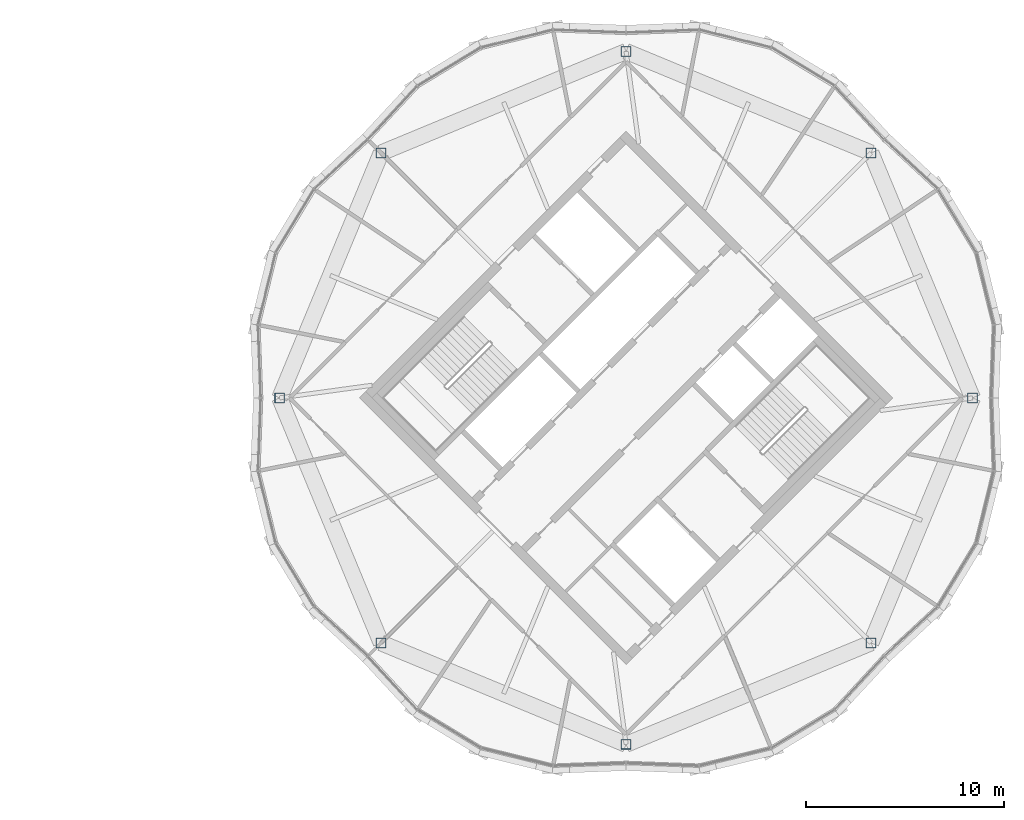
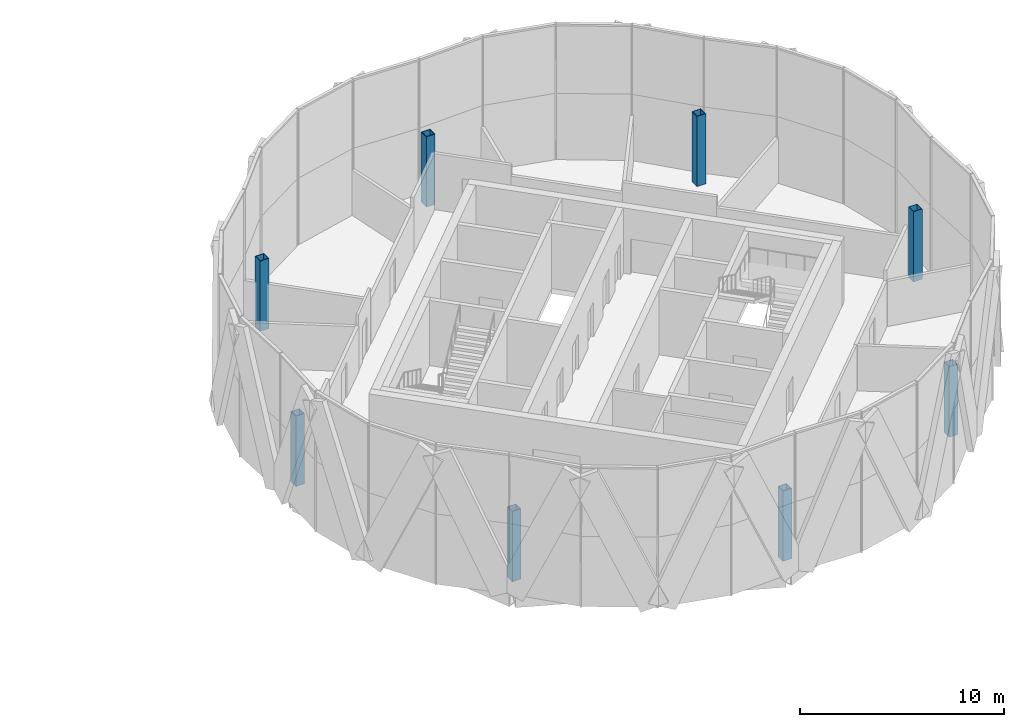
# One storey, part 2 of 22: 8 columns.
"""IFC4 building model written with IfcOpenShell, lengths in metres."""

from ifc_helpers import new_model, si_unit, direction, frame, origin, origin_2d, place, context, subcontext, project, spatial, hollow_rectangle, extrude, material, material_profile, profile_set, type_object, element, save


model = new_model("IFC4")

# Units and contexts
model_context = context("Model", 3, precision=1e-05, world=origin(), true_north=direction((0.0, 1.0)))
body_context = subcontext(model_context, "Body", "Model", "MODEL_VIEW")
ifc_project = project(units=[si_unit("LENGTHUNIT", "METRE"), si_unit("AREAUNIT", "SQUARE_METRE"), si_unit("VOLUMEUNIT", "CUBIC_METRE"), si_unit("PLANEANGLEUNIT", "RADIAN"), si_unit("MASSUNIT", "GRAM", prefix="KILO")], contexts=[model_context])

# Site, building, storey
site_placement = place(None, origin())
site = spatial("IfcSite", under=ifc_project, at=site_placement, CompositionType="ELEMENT")
building_placement = place(site_placement, origin())
building = spatial("IfcBuilding", under=site, at=building_placement, Name="Ogive Gate Towers", CompositionType="ELEMENT")
storey_placement = place(building_placement, frame((0.0, 0.0, 285.60009765625)))
storey = spatial("IfcBuildingStorey", under=building, at=storey_placement, Name="L67", CompositionType="ELEMENT", Elevation=285.60009765625)

# Columns
ifc_material = material(Name="Steel SM460", Category="steel")
ifc_material_profile = material_profile(ifc_material, hollow_rectangle(XDim=0.5, YDim=0.5, WallThickness=0.030029296875, at=origin_2d()), Name="BX 500x500x30")
ifc_profile_set = profile_set([ifc_material_profile], Name="Steel SM460")
column_type = type_object("IfcColumnType", Name="Perimeter post BX 500x500x30", PredefinedType="COLUMN", material=ifc_profile_set)
for number, where, z_axis, x_axis, name in (
    (1, (53.455078125, 0.0, 0.0), (0.0, 0.0, 1.0), (1.0, 0.0, 0.0), "T2/L67/SCL001"),
    (2, (48.342529296875, 12.342529296875, 0.0), (0.0, 0.0, 1.0), (1.0, 0.0, 0.0), "T2/L67/SCL002"),
    (3, (36.0, 17.455078125, 0.0), (0.0, 0.0, 1.0), (1.0, 0.0, 0.0), "T2/L67/SCL003"),
    (4, (23.657470703125, 12.342529296875, 0.0), (0.0, 0.0, 1.0), (1.0, 0.0, 0.0), "T2/L67/SCL004"),
    (5, (18.544921875, 0.0, 0.0), (0.0, 0.0, 1.0), (1.0, 0.0, 0.0), "T2/L67/SCL005"),
    (6, (23.657470703125, -12.342529296875, 0.0), (0.0, 0.0, 1.0), (1.0, 0.0, 0.0), "T2/L67/SCL006"),
    (7, (36.0, -17.455078125, 0.0), (0.0, 0.0, 1.0), (1.0, 0.0, 0.0), "T2/L67/SCL007"),
    (8, (48.342529296875, -12.342529296875, 0.0), (0.0, 0.0, 1.0), (1.0, 0.0, 0.0), "T2/L67/SCL008"),
):
    element("IfcColumn", number, at=place(storey_placement, frame(where, z_axis=z_axis, x_axis=x_axis)), inside=storey, type_object=column_type, Name=name, PredefinedType="COLUMN", context=body_context, shape_type="SweptSolid", body=[
        extrude(hollow_rectangle(XDim=0.5, YDim=0.5, WallThickness=0.030029296875, at=origin_2d()), origin(), (0.0, 0.0, 1.0), 4.199951171875),
    ])

save(model, "model.ifc")
